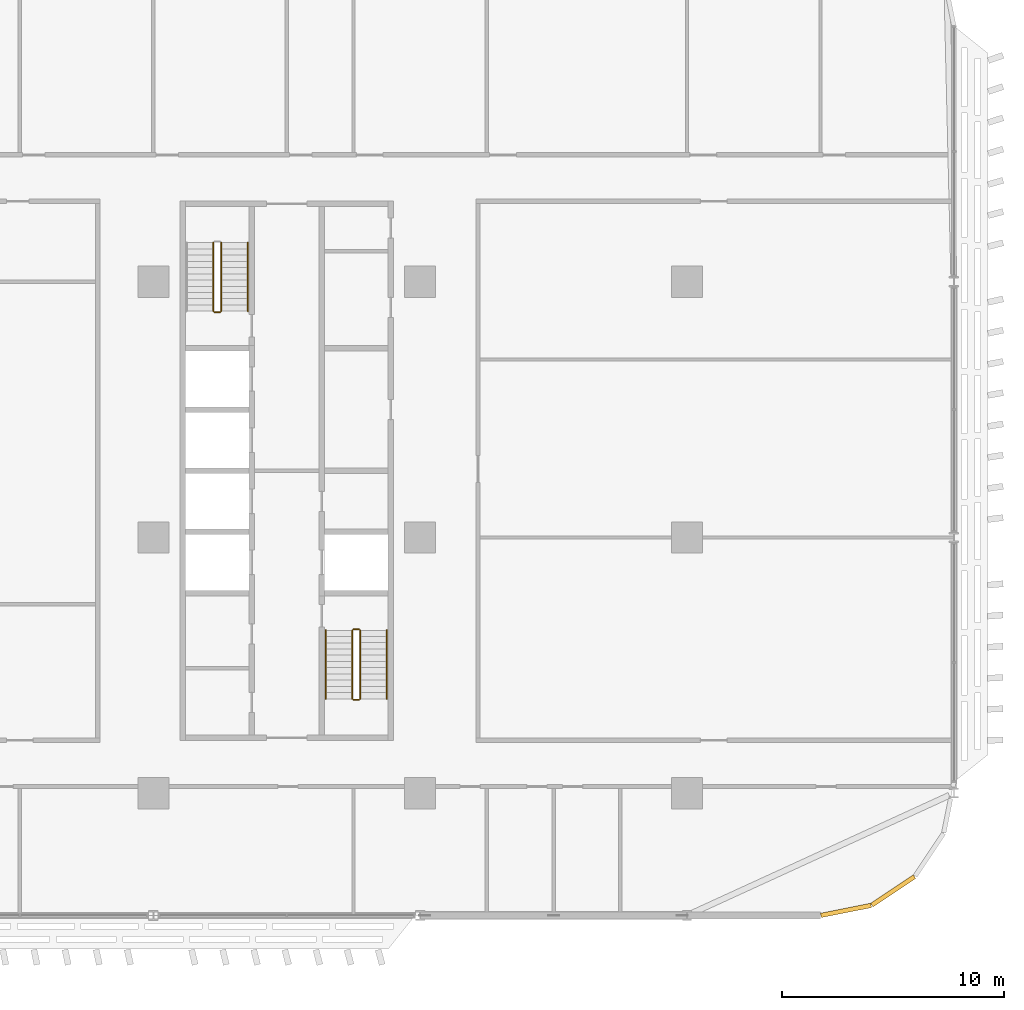
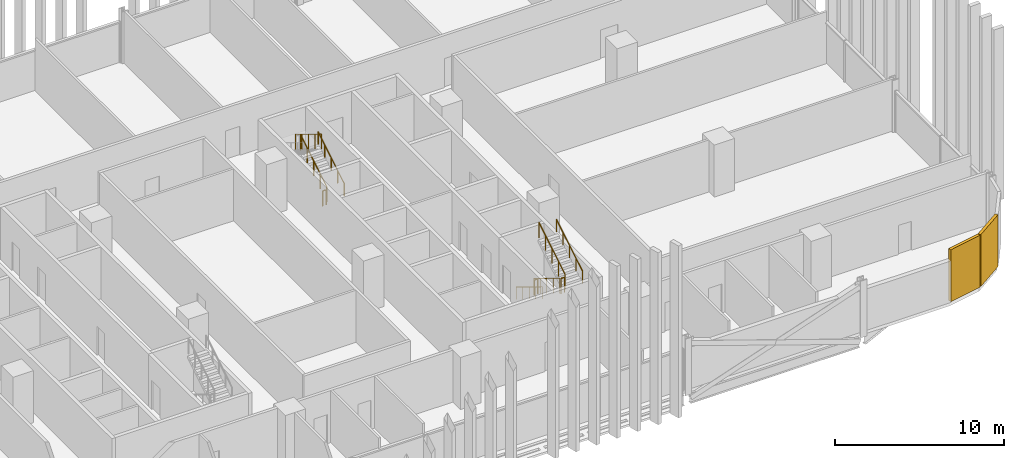
# One storey, part 29 of 31: 10 railings, 2 coverings.
"""IFC4 building model written with IfcOpenShell, lengths in metres."""

from ifc_helpers import new_model, si_unit, direction, frame, origin, origin_2d, place, context, subcontext, project, spatial, rectangle, circle, extrude, material, layer, layer_set, type_object, element, save


model = new_model("IFC4")

# Units and contexts
model_context = context("Model", 3, precision=1e-05, world=origin(), true_north=direction((0.0, 1.0)))
body_context = subcontext(model_context, "Body", "Model", "MODEL_VIEW")
ifc_project = project(units=[si_unit("LENGTHUNIT", "METRE"), si_unit("AREAUNIT", "SQUARE_METRE"), si_unit("VOLUMEUNIT", "CUBIC_METRE"), si_unit("PLANEANGLEUNIT", "RADIAN"), si_unit("MASSUNIT", "GRAM", prefix="KILO")], contexts=[model_context])

# Site, building, storey
site_placement = place(None, origin())
site = spatial("IfcSite", under=ifc_project, at=site_placement, CompositionType="ELEMENT")
building_placement = place(site_placement, origin())
building = spatial("IfcBuilding", under=site, at=building_placement, Name="Mahtab Terrace Research Tower", CompositionType="ELEMENT")
storey_placement = place(building_placement, frame((0.0, 0.0, 101.199951171875)))
storey = spatial("IfcBuildingStorey", under=building, at=storey_placement, Name="L23", CompositionType="ELEMENT", Elevation=101.199951171875)

# Coverings
ifc_material_1 = material(Name="Black aluminium cladding panel", Category="aluminium")
ifc_layer = layer(ifc_material_1, 0.199951171875)
ifc_layer_set = layer_set([ifc_layer], Name="Black metal corner cladding 200")
covering_type = type_object("IfcCoveringType", Name="Black metal corner cladding 200", PredefinedType="CLADDING", material=ifc_layer_set)
for number, where, z_axis, x_axis, name in (
    (1, (49.14794921875, -16.771484375, 0.0), (0.0, 0.0, 1.0), (0.980760981187, 0.195212442692, 0.0), "Corner cladding L23 31"),
    (2, (51.26953125, -15.89306640625, 0.0), (0.0, 0.0, 1.0), (0.831655794326, 0.555291490808, 0.0), "Corner cladding L23 32"),
):
    element("IfcCovering", number, at=place(storey_placement, frame(where, z_axis=z_axis, x_axis=x_axis)), inside=storey, type_object=covering_type, Name=name, PredefinedType="CLADDING", context=body_context, shape_type="SweptSolid", body=[
        extrude(rectangle(XDim=2.30126953125, YDim=0.199951171875, at=origin_2d()), origin(), (0.0, 0.0, 1.0), 3.760009765625),
    ])

# Railings
ifc_material_2 = material(Name="Stainless steel AISI 304", Category="steel")
railing_type_1 = type_object("IfcRailingType", Name="Stair guard 1100", PredefinedType="GUARDRAIL", material=ifc_material_2)
railing_1_placement = place(storey_placement, frame((21.050048828125, 10.175048828125, 0.1708984375)))
element("IfcRailing", 3, at=railing_1_placement, inside=storey, type_object=railing_type_1, Name="L23 ST3 stair guard 1", PredefinedType="GUARDRAIL", context=body_context, shape_type="SweptSolid", body=[
    extrude(circle(Radius=0.02392578125, at=origin_2d()), frame((0.0, 0.0, 1.076171875), z_axis=(0.0, 0.853647949592, 0.520850437417), x_axis=(-1.0, 0.0, 0.0)), (0.0, 0.0, 1.0), 3.60791015625),
    extrude(circle(Radius=0.02099609375, at=origin_2d()), origin(), (0.0, 0.0, 1.0), 1.052001953125),
    extrude(circle(Radius=0.02099609375, at=origin_2d()), frame((0.0, 0.77001953125, 0.4697265625)), (0.0, 0.0, 1.0), 1.052001953125),
    extrude(circle(Radius=0.02099609375, at=origin_2d()), frame((0.0, 1.5400390625, 0.939453125)), (0.0, 0.0, 1.0), 1.052001953125),
    extrude(circle(Radius=0.02099609375, at=origin_2d()), frame((0.0, 2.309814453125, 1.409423828125)), (0.0, 0.0, 1.0), 1.052001953125),
    extrude(circle(Radius=0.02099609375, at=origin_2d()), frame((0.0, 3.079833984375, 1.879150390625)), (0.0, 0.0, 1.0), 1.052001953125),
])
railing_2_placement = place(storey_placement, frame((20.699951171875, 13.2548828125, 2.220947265625)))
element("IfcRailing", 4, at=railing_2_placement, inside=storey, type_object=railing_type_1, Name="L23 ST3 stair guard 3", PredefinedType="GUARDRAIL", context=body_context, shape_type="SweptSolid", body=[
    extrude(circle(Radius=0.02392578125, at=origin_2d()), frame((0.0, 0.0, 1.076171875), z_axis=(0.0, -0.853647949592, 0.520850437417), x_axis=(1.0, 0.0, 0.0)), (0.0, 0.0, 1.0), 3.60791015625),
    extrude(circle(Radius=0.02099609375, at=origin_2d()), origin(), (0.0, 0.0, 1.0), 1.052001953125),
    extrude(circle(Radius=0.02099609375, at=origin_2d()), frame((0.0, -0.77001953125, 0.4697265625)), (0.0, 0.0, 1.0), 1.052001953125),
    extrude(circle(Radius=0.02099609375, at=origin_2d()), frame((0.0, -1.5400390625, 0.939453125)), (0.0, 0.0, 1.0), 1.052001953125),
    extrude(circle(Radius=0.02099609375, at=origin_2d()), frame((0.0, -2.309814453125, 1.409423828125)), (0.0, 0.0, 1.0), 1.052001953125),
    extrude(circle(Radius=0.02099609375, at=origin_2d()), frame((0.0, -3.079833984375, 1.879150390625)), (0.0, 0.0, 1.0), 1.052001953125),
])
railing_3_placement = place(storey_placement, frame((21.0, 10.125, 0.0)))
element("IfcRailing", 5, at=railing_3_placement, inside=storey, type_object=railing_type_1, Name="L23 ST3 stair guard 4", PredefinedType="GUARDRAIL", context=body_context, shape_type="SweptSolid", body=[
    extrude(circle(Radius=0.02392578125, at=origin_2d()), frame((0.0, 0.0, 1.076171875), z_axis=(-1.0, 0.0, 0.0), x_axis=(0.0, -1.0, 0.0)), (0.0, 0.0, 1.0), 0.25),
    extrude(circle(Radius=0.02099609375, at=origin_2d()), origin(), (0.0, 0.0, 1.0), 1.052001953125),
    extrude(circle(Radius=0.02099609375, at=origin_2d()), frame((-0.25, 0.0, 0.0)), (0.0, 0.0, 1.0), 1.052001953125),
])
railing_4_placement = place(storey_placement, frame((26.949951171875, -4.175048828125, 0.1708984375)))
element("IfcRailing", 6, at=railing_4_placement, inside=storey, type_object=railing_type_1, Name="L23 ST4 stair guard 1", PredefinedType="GUARDRAIL", context=body_context, shape_type="SweptSolid", body=[
    extrude(circle(Radius=0.02392578125, at=origin_2d()), frame((0.0, 0.0, 1.076171875), z_axis=(0.0, -0.853647949592, 0.520850437417), x_axis=(1.0, 0.0, 0.0)), (0.0, 0.0, 1.0), 3.60791015625),
    extrude(circle(Radius=0.02099609375, at=origin_2d()), origin(), (0.0, 0.0, 1.0), 1.052001953125),
    extrude(circle(Radius=0.02099609375, at=origin_2d()), frame((0.0, -0.77001953125, 0.4697265625)), (0.0, 0.0, 1.0), 1.052001953125),
    extrude(circle(Radius=0.02099609375, at=origin_2d()), frame((0.0, -1.5400390625, 0.939453125)), (0.0, 0.0, 1.0), 1.052001953125),
    extrude(circle(Radius=0.02099609375, at=origin_2d()), frame((0.0, -2.309814453125, 1.409423828125)), (0.0, 0.0, 1.0), 1.052001953125),
    extrude(circle(Radius=0.02099609375, at=origin_2d()), frame((0.0, -3.079833984375, 1.879150390625)), (0.0, 0.0, 1.0), 1.052001953125),
])
railing_5_placement = place(storey_placement, frame((27.0, -7.304931640625, 2.050048828125)))
element("IfcRailing", 7, at=railing_5_placement, inside=storey, type_object=railing_type_1, Name="L23 ST4 stair guard 2", PredefinedType="GUARDRAIL", context=body_context, shape_type="SweptSolid", body=[
    extrude(circle(Radius=0.02392578125, at=origin_2d()), frame((0.0, 0.0, 1.076171875), z_axis=(1.0, 0.0, 0.0), x_axis=(0.0, 1.0, 0.0)), (0.0, 0.0, 1.0), 0.25),
    extrude(circle(Radius=0.02099609375, at=origin_2d()), origin(), (0.0, 0.0, 1.0), 1.052001953125),
    extrude(circle(Radius=0.02099609375, at=origin_2d()), frame((0.25, 0.0, 0.0)), (0.0, 0.0, 1.0), 1.052001953125),
])
railing_6_placement = place(storey_placement, frame((27.300048828125, -7.2548828125, 2.220947265625)))
element("IfcRailing", 8, at=railing_6_placement, inside=storey, type_object=railing_type_1, Name="L23 ST4 stair guard 3", PredefinedType="GUARDRAIL", context=body_context, shape_type="SweptSolid", body=[
    extrude(circle(Radius=0.02392578125, at=origin_2d()), frame((0.0, 0.0, 1.076171875), z_axis=(0.0, 0.853647949592, 0.520850437417), x_axis=(-1.0, 0.0, 0.0)), (0.0, 0.0, 1.0), 3.60791015625),
    extrude(circle(Radius=0.02099609375, at=origin_2d()), origin(), (0.0, 0.0, 1.0), 1.052001953125),
    extrude(circle(Radius=0.02099609375, at=origin_2d()), frame((0.0, 0.77001953125, 0.4697265625)), (0.0, 0.0, 1.0), 1.052001953125),
    extrude(circle(Radius=0.02099609375, at=origin_2d()), frame((0.0, 1.5400390625, 0.939453125)), (0.0, 0.0, 1.0), 1.052001953125),
    extrude(circle(Radius=0.02099609375, at=origin_2d()), frame((0.0, 2.309814453125, 1.409423828125)), (0.0, 0.0, 1.0), 1.052001953125),
    extrude(circle(Radius=0.02099609375, at=origin_2d()), frame((0.0, 3.079833984375, 1.879150390625)), (0.0, 0.0, 1.0), 1.052001953125),
])
railing_7_placement = place(storey_placement, frame((27.0, -4.125, 0.0)))
element("IfcRailing", 9, at=railing_7_placement, inside=storey, type_object=railing_type_1, Name="L23 ST4 stair guard 4", PredefinedType="GUARDRAIL", context=body_context, shape_type="SweptSolid", body=[
    extrude(circle(Radius=0.02392578125, at=origin_2d()), frame((0.0, 0.0, 1.076171875), z_axis=(1.0, 0.0, 0.0), x_axis=(0.0, 1.0, 0.0)), (0.0, 0.0, 1.0), 0.25),
    extrude(circle(Radius=0.02099609375, at=origin_2d()), origin(), (0.0, 0.0, 1.0), 1.052001953125),
    extrude(circle(Radius=0.02099609375, at=origin_2d()), frame((0.25, 0.0, 0.0)), (0.0, 0.0, 1.0), 1.052001953125),
])
railing_type_2 = type_object("IfcRailingType", Name="Stair handrail 900", PredefinedType="HANDRAIL", material=ifc_material_2)
railing_8_placement = place(storey_placement, frame((22.25, 10.175048828125, 0.1708984375)))
element("IfcRailing", 10, at=railing_8_placement, inside=storey, type_object=railing_type_2, Name="L23 ST3 stair handrail 1", PredefinedType="HANDRAIL", context=body_context, shape_type="SweptSolid", body=[
    extrude(circle(Radius=0.02392578125, at=origin_2d()), frame((0.0, 0.0, 0.8759765625), z_axis=(0.0, 0.853647949592, 0.520850437417), x_axis=(-1.0, 0.0, 0.0)), (0.0, 0.0, 1.0), 3.60791015625),
    extrude(circle(Radius=0.02099609375, at=origin_2d()), origin(), (0.0, 0.0, 1.0), 0.851806640625),
    extrude(circle(Radius=0.02099609375, at=origin_2d()), frame((0.0, 0.77001953125, 0.4697265625)), (0.0, 0.0, 1.0), 0.851806640625),
    extrude(circle(Radius=0.02099609375, at=origin_2d()), frame((0.0, 1.5400390625, 0.939453125)), (0.0, 0.0, 1.0), 0.851806640625),
    extrude(circle(Radius=0.02099609375, at=origin_2d()), frame((0.0, 2.309814453125, 1.409423828125)), (0.0, 0.0, 1.0), 0.851806640625),
    extrude(circle(Radius=0.02099609375, at=origin_2d()), frame((0.0, 3.079833984375, 1.879150390625)), (0.0, 0.0, 1.0), 0.851806640625),
])
railing_9_placement = place(storey_placement, frame((25.75, -4.175048828125, 0.1708984375)))
element("IfcRailing", 11, at=railing_9_placement, inside=storey, type_object=railing_type_2, Name="L23 ST4 stair handrail 1", PredefinedType="HANDRAIL", context=body_context, shape_type="SweptSolid", body=[
    extrude(circle(Radius=0.02392578125, at=origin_2d()), frame((0.0, 0.0, 0.8759765625), z_axis=(0.0, -0.853647949592, 0.520850437417), x_axis=(1.0, 0.0, 0.0)), (0.0, 0.0, 1.0), 3.60791015625),
    extrude(circle(Radius=0.02099609375, at=origin_2d()), origin(), (0.0, 0.0, 1.0), 0.851806640625),
    extrude(circle(Radius=0.02099609375, at=origin_2d()), frame((0.0, -0.77001953125, 0.4697265625)), (0.0, 0.0, 1.0), 0.851806640625),
    extrude(circle(Radius=0.02099609375, at=origin_2d()), frame((0.0, -1.5400390625, 0.939453125)), (0.0, 0.0, 1.0), 0.851806640625),
    extrude(circle(Radius=0.02099609375, at=origin_2d()), frame((0.0, -2.309814453125, 1.409423828125)), (0.0, 0.0, 1.0), 0.851806640625),
    extrude(circle(Radius=0.02099609375, at=origin_2d()), frame((0.0, -3.079833984375, 1.879150390625)), (0.0, 0.0, 1.0), 0.851806640625),
])
railing_10_placement = place(storey_placement, frame((28.5, -7.2548828125, 2.220947265625)))
element("IfcRailing", 12, at=railing_10_placement, inside=storey, type_object=railing_type_2, Name="L23 ST4 stair handrail 2", PredefinedType="HANDRAIL", context=body_context, shape_type="SweptSolid", body=[
    extrude(circle(Radius=0.02392578125, at=origin_2d()), frame((0.0, 0.0, 0.8759765625), z_axis=(0.0, 0.853647949592, 0.520850437417), x_axis=(-1.0, 0.0, 0.0)), (0.0, 0.0, 1.0), 3.60791015625),
    extrude(circle(Radius=0.02099609375, at=origin_2d()), origin(), (0.0, 0.0, 1.0), 0.851806640625),
    extrude(circle(Radius=0.02099609375, at=origin_2d()), frame((0.0, 0.77001953125, 0.4697265625)), (0.0, 0.0, 1.0), 0.851806640625),
    extrude(circle(Radius=0.02099609375, at=origin_2d()), frame((0.0, 1.5400390625, 0.939453125)), (0.0, 0.0, 1.0), 0.851806640625),
    extrude(circle(Radius=0.02099609375, at=origin_2d()), frame((0.0, 2.309814453125, 1.409423828125)), (0.0, 0.0, 1.0), 0.851806640625),
    extrude(circle(Radius=0.02099609375, at=origin_2d()), frame((0.0, 3.079833984375, 1.879150390625)), (0.0, 0.0, 1.0), 0.851806640625),
])

save(model, "model.ifc")
